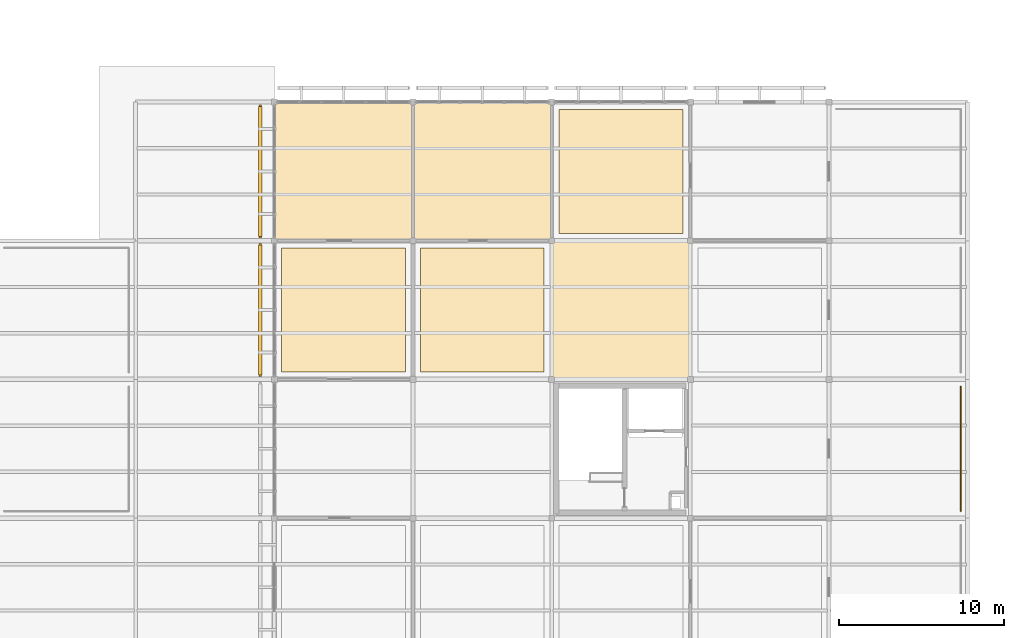
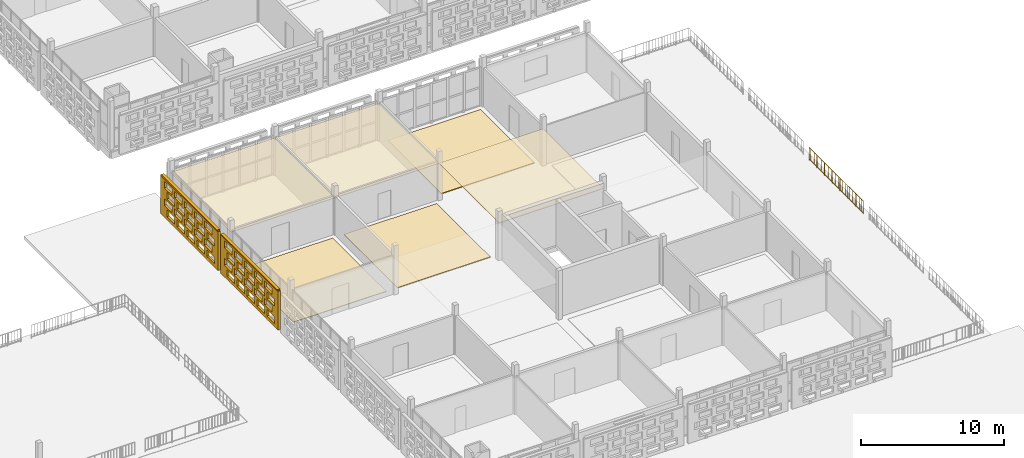
# One storey, part 154 of 166: 8 coverings, 2 shading devices, 1 railing, 40 openings.
"""IFC4 building model written with IfcOpenShell, lengths in metres."""

from ifc_helpers import new_model, si_unit, direction, frame, frame_2d, origin, origin_2d, place, context, subcontext, project, spatial, rectangle, circle, extrude, material, layer, layer_set, type_object, element, save


model = new_model("IFC4")

# Units and contexts
model_context = context("Model", 3, precision=1e-05, world=origin(), true_north=direction((0.0, 1.0)))
body_context = subcontext(model_context, "Body", "Model", "MODEL_VIEW")
ifc_project = project(units=[si_unit("LENGTHUNIT", "METRE"), si_unit("AREAUNIT", "SQUARE_METRE"), si_unit("VOLUMEUNIT", "CUBIC_METRE"), si_unit("PLANEANGLEUNIT", "RADIAN"), si_unit("MASSUNIT", "GRAM", prefix="KILO")], contexts=[model_context])

# Site, building, storey
site_placement = place(None, origin())
site = spatial("IfcSite", under=ifc_project, at=site_placement, CompositionType="ELEMENT")
building_placement = place(site_placement, origin())
building = spatial("IfcBuilding", under=site, at=building_placement, Name="Varnapada Polytechnic", CompositionType="ELEMENT")
storey_placement = place(building_placement, frame((0.0, 0.0, 9.60009765625)))
storey = spatial("IfcBuildingStorey", under=building, at=storey_placement, Name="L02", CompositionType="ELEMENT", Elevation=9.60009765625)

# Coverings
ifc_material_1 = material(Name="End-Grain Timber Studio Block Flooring", Category="wood")
ifc_layer_1 = layer(ifc_material_1, 0.054931640625)
ifc_layer_set_1 = layer_set([ifc_layer_1], Name="End-Grain Timber Studio Block Flooring")
covering_type_1 = type_object("IfcCoveringType", Name="Floor Finish FLR-04", PredefinedType="FLOORING", material=ifc_layer_set_1)
for number, where, z_axis, x_axis, name in (
    (1, (138.60009765625, 37.800048828125, 0.0), (0.0, 0.0, 1.0), (1.0, 0.0, 0.0), "L02 floor finish panel (17,5)"),
    (2, (147.0, 37.800048828125, 0.0), (0.0, 0.0, 1.0), (1.0, 0.0, 0.0), "L02 floor finish panel (18,5)"),
    (3, (155.39990234375, 46.199951171875, 0.0), (0.0, 0.0, 1.0), (1.0, 0.0, 0.0), "L02 floor finish panel (19,6)"),
):
    element("IfcCovering", number, at=place(storey_placement, frame(where, z_axis=z_axis, x_axis=x_axis)), inside=storey, type_object=covering_type_1, Name=name, PredefinedType="FLOORING", context=body_context, shape_type="SweptSolid", body=[
        extrude(rectangle(XDim=7.5, YDim=7.5, at=origin_2d()), origin(), (0.0, 0.0, 1.0), 0.054931640625),
    ])
ifc_material_2 = material(Name="Perforated Timber Slatted Baffle Ceiling", Category="wood")
ifc_layer_2 = layer(ifc_material_2, 0.050048828125)
ifc_layer_set_2 = layer_set([ifc_layer_2], Name="Perforated Timber Slatted Baffle Ceiling")
covering_type_2 = type_object("IfcCoveringType", Name="Suspended Ceiling CLG-02", PredefinedType="CEILING", material=ifc_layer_set_2)
covering_1_placement = place(storey_placement, frame((147.0, 46.199951171875, 3.02490234375), z_axis=(0.0, 0.0, 1.0), x_axis=(1.0, 0.0, 0.0)))
element("IfcCovering", 4, at=covering_1_placement, inside=storey, type_object=covering_type_2, Name="L02 suspended acoustic ceiling (18,6)", PredefinedType="CEILING", context=body_context, shape_type="SweptSolid", body=[
    extrude(rectangle(XDim=8.419921875, YDim=8.419921875, at=origin_2d()), origin(), (0.0, 0.0, 1.0), 0.050048828125),
])
ifc_material_3 = material(Name="Micro-Perforated Gypsum Acoustic Ceiling")
ifc_layer_3 = layer(ifc_material_3, 0.044921875)
ifc_layer_set_3 = layer_set([ifc_layer_3], Name="Micro-Perforated Gypsum Acoustic Ceiling")
covering_type_3 = type_object("IfcCoveringType", Name="Suspended Ceiling CLG-04", PredefinedType="CEILING", material=ifc_layer_set_3)
covering_2_placement = place(storey_placement, frame((138.60009765625, 46.199951171875, 3.02734375), z_axis=(0.0, 0.0, 1.0), x_axis=(1.0, 0.0, 0.0)))
element("IfcCovering", 5, at=covering_2_placement, inside=storey, type_object=covering_type_3, Name="L02 suspended acoustic ceiling (17,6)", PredefinedType="CEILING", context=body_context, shape_type="SweptSolid", body=[
    extrude(rectangle(XDim=8.419921875, YDim=8.419921875, at=origin_2d()), origin(), (0.0, 0.0, 1.0), 0.044921875),
])
ifc_material_4 = material(Name="Slatted Merbau Timber Acoustic Ceiling", Category="wood")
ifc_layer_4 = layer(ifc_material_4, 0.054931640625)
ifc_layer_set_4 = layer_set([ifc_layer_4], Name="Slatted Merbau Timber Acoustic Ceiling")
covering_type_4 = type_object("IfcCoveringType", Name="Suspended Ceiling CLG-05", PredefinedType="CEILING", material=ifc_layer_set_4)
covering_3_placement = place(storey_placement, frame((155.39990234375, 37.800048828125, 3.0224609375), z_axis=(0.0, 0.0, 1.0), x_axis=(1.0, 0.0, 0.0)))
element("IfcCovering", 6, at=covering_3_placement, inside=storey, type_object=covering_type_4, Name="L02 suspended acoustic ceiling (19,5)", PredefinedType="CEILING", context=body_context, shape_type="SweptSolid", body=[
    extrude(rectangle(XDim=8.419921875, YDim=8.419921875, at=origin_2d()), origin(), (0.0, 0.0, 1.0), 0.054931640625),
])

# Railing
ifc_material_5 = material(Name="Painted galvanized steel", Category="steel")
railing_type = type_object("IfcRailingType", Name="Terrace Guard Rail GRD-01", PredefinedType="BALUSTRADE", material=ifc_material_5)
railing_placement = place(storey_placement, frame((175.97998046875, 25.6201171875, 0.0)))
element("IfcRailing", 7, at=railing_placement, inside=storey, type_object=railing_type, Name="L02 terrace perimeter guard rail 22", PredefinedType="BALUSTRADE", context=body_context, shape_type="SweptSolid", body=[
    extrude(circle(Radius=0.02392578125, at=origin_2d()), frame((0.0, 0.0, 1.09619140625), z_axis=(0.0, 1.0, 0.0), x_axis=(-1.0, 0.0, 0.0)), (0.0, 0.0, 1.0), 7.559814453125),
    extrude(circle(Radius=0.02392578125, at=origin_2d()), frame((0.0, 0.0, 0.10009765625), z_axis=(0.0, 1.0, 0.0), x_axis=(-1.0, 0.0, 0.0)), (0.0, 0.0, 1.0), 7.559814453125),
    extrude(circle(Radius=0.02099609375, at=origin_2d()), origin(), (0.0, 0.0, 1.0), 1.072021484375),
    extrude(circle(Radius=0.02099609375, at=origin_2d()), frame((0.0, 1.080078125, 0.0)), (0.0, 0.0, 1.0), 1.072021484375),
    extrude(circle(Radius=0.02099609375, at=origin_2d()), frame((0.0, 2.159912109375, 0.0)), (0.0, 0.0, 1.0), 1.072021484375),
    extrude(circle(Radius=0.02099609375, at=origin_2d()), frame((0.0, 3.239990234375, 0.0)), (0.0, 0.0, 1.0), 1.072021484375),
    extrude(circle(Radius=0.02099609375, at=origin_2d()), frame((0.0, 4.31982421875, 0.0)), (0.0, 0.0, 1.0), 1.072021484375),
    extrude(circle(Radius=0.02099609375, at=origin_2d()), frame((0.0, 5.39990234375, 0.0)), (0.0, 0.0, 1.0), 1.072021484375),
    extrude(circle(Radius=0.02099609375, at=origin_2d()), frame((0.0, 6.479736328125, 0.0)), (0.0, 0.0, 1.0), 1.072021484375),
    extrude(circle(Radius=0.02099609375, at=origin_2d()), frame((0.0, 7.559814453125, 0.0)), (0.0, 0.0, 1.0), 1.072021484375),
    extrude(circle(Radius=0.010009765625, at=origin_2d()), frame((0.0, 0.243896484375, 0.10009765625)), (0.0, 0.0, 1.0), 0.971923828125),
    extrude(circle(Radius=0.010009765625, at=origin_2d()), frame((0.0, 0.48779296875, 0.10009765625)), (0.0, 0.0, 1.0), 0.971923828125),
    extrude(circle(Radius=0.010009765625, at=origin_2d()), frame((0.0, 0.731689453125, 0.10009765625)), (0.0, 0.0, 1.0), 0.971923828125),
    extrude(circle(Radius=0.010009765625, at=origin_2d()), frame((0.0, 0.975341796875, 0.10009765625)), (0.0, 0.0, 1.0), 0.971923828125),
    extrude(circle(Radius=0.010009765625, at=origin_2d()), frame((0.0, 1.21923828125, 0.10009765625)), (0.0, 0.0, 1.0), 0.971923828125),
    extrude(circle(Radius=0.010009765625, at=origin_2d()), frame((0.0, 1.463134765625, 0.10009765625)), (0.0, 0.0, 1.0), 0.971923828125),
    extrude(circle(Radius=0.010009765625, at=origin_2d()), frame((0.0, 1.70703125, 0.10009765625)), (0.0, 0.0, 1.0), 0.971923828125),
    extrude(circle(Radius=0.010009765625, at=origin_2d()), frame((0.0, 1.950927734375, 0.10009765625)), (0.0, 0.0, 1.0), 0.971923828125),
    extrude(circle(Radius=0.010009765625, at=origin_2d()), frame((0.0, 2.19482421875, 0.10009765625)), (0.0, 0.0, 1.0), 0.971923828125),
    extrude(circle(Radius=0.010009765625, at=origin_2d()), frame((0.0, 2.438720703125, 0.10009765625)), (0.0, 0.0, 1.0), 0.971923828125),
    extrude(circle(Radius=0.010009765625, at=origin_2d()), frame((0.0, 2.6826171875, 0.10009765625)), (0.0, 0.0, 1.0), 0.971923828125),
    extrude(circle(Radius=0.010009765625, at=origin_2d()), frame((0.0, 2.92626953125, 0.10009765625)), (0.0, 0.0, 1.0), 0.971923828125),
    extrude(circle(Radius=0.010009765625, at=origin_2d()), frame((0.0, 3.170166015625, 0.10009765625)), (0.0, 0.0, 1.0), 0.971923828125),
    extrude(circle(Radius=0.010009765625, at=origin_2d()), frame((0.0, 3.4140625, 0.10009765625)), (0.0, 0.0, 1.0), 0.971923828125),
    extrude(circle(Radius=0.010009765625, at=origin_2d()), frame((0.0, 3.657958984375, 0.10009765625)), (0.0, 0.0, 1.0), 0.971923828125),
    extrude(circle(Radius=0.010009765625, at=origin_2d()), frame((0.0, 3.90185546875, 0.10009765625)), (0.0, 0.0, 1.0), 0.971923828125),
    extrude(circle(Radius=0.010009765625, at=origin_2d()), frame((0.0, 4.145751953125, 0.10009765625)), (0.0, 0.0, 1.0), 0.971923828125),
    extrude(circle(Radius=0.010009765625, at=origin_2d()), frame((0.0, 4.3896484375, 0.10009765625)), (0.0, 0.0, 1.0), 0.971923828125),
    extrude(circle(Radius=0.010009765625, at=origin_2d()), frame((0.0, 4.633544921875, 0.10009765625)), (0.0, 0.0, 1.0), 0.971923828125),
    extrude(circle(Radius=0.010009765625, at=origin_2d()), frame((0.0, 4.877197265625, 0.10009765625)), (0.0, 0.0, 1.0), 0.971923828125),
    extrude(circle(Radius=0.010009765625, at=origin_2d()), frame((0.0, 5.12109375, 0.10009765625)), (0.0, 0.0, 1.0), 0.971923828125),
    extrude(circle(Radius=0.010009765625, at=origin_2d()), frame((0.0, 5.364990234375, 0.10009765625)), (0.0, 0.0, 1.0), 0.971923828125),
    extrude(circle(Radius=0.010009765625, at=origin_2d()), frame((0.0, 5.60888671875, 0.10009765625)), (0.0, 0.0, 1.0), 0.971923828125),
    extrude(circle(Radius=0.010009765625, at=origin_2d()), frame((0.0, 5.852783203125, 0.10009765625)), (0.0, 0.0, 1.0), 0.971923828125),
    extrude(circle(Radius=0.010009765625, at=origin_2d()), frame((0.0, 6.0966796875, 0.10009765625)), (0.0, 0.0, 1.0), 0.971923828125),
    extrude(circle(Radius=0.010009765625, at=origin_2d()), frame((0.0, 6.340576171875, 0.10009765625)), (0.0, 0.0, 1.0), 0.971923828125),
    extrude(circle(Radius=0.010009765625, at=origin_2d()), frame((0.0, 6.58447265625, 0.10009765625)), (0.0, 0.0, 1.0), 0.971923828125),
    extrude(circle(Radius=0.010009765625, at=origin_2d()), frame((0.0, 6.828125, 0.10009765625)), (0.0, 0.0, 1.0), 0.971923828125),
    extrude(circle(Radius=0.010009765625, at=origin_2d()), frame((0.0, 7.072021484375, 0.10009765625)), (0.0, 0.0, 1.0), 0.971923828125),
    extrude(circle(Radius=0.010009765625, at=origin_2d()), frame((0.0, 7.31591796875, 0.10009765625)), (0.0, 0.0, 1.0), 0.971923828125),
])

# Covering, openings
ifc_material_6 = material(Name="Earth-toned architectural terracotta screen block", Category="masonry")
ifc_layer_5 = layer(ifc_material_6, 0.1201171875)
ifc_layer_set_5 = layer_set([ifc_layer_5], Name="Earth-toned architectural terracotta screen block")
covering_type_5 = type_object("IfcCoveringType", Name="Terracotta Screen Cladding CLD-01", PredefinedType="CLADDING", material=ifc_layer_set_5)
covering_4_placement = place(storey_placement, frame((133.550048828125, 33.780029296875, 0.0), z_axis=(0.0, 0.0, 1.0), x_axis=(0.0, 1.0, 0.0)))
covering_4 = element("IfcCovering", 8, at=covering_4_placement, inside=storey, type_object=covering_type_5, Name="L02 perforated terracotta block screen (83)", PredefinedType="CLADDING", context=body_context, shape_type="SweptSolid", body=[
    extrude(rectangle(XDim=8.050048828125, YDim=0.179931640625, at=frame_2d((4.02490234375, 0.0))), origin(), (0.0, 0.0, 1.0), 3.31982421875),
])
opening_1_placement = place(covering_4_placement, frame((0.52490234375, 0.0, 0.265625)))
element("IfcOpeningElement", 9, at=opening_1_placement, cuts=covering_4, Name="Screen perforation TBS-L02-082.1", PredefinedType="OPENING", context=body_context, shape_type="SweptSolid", body=[
    extrude(rectangle(XDim=1.0400390625, YDim=0.5810546875, at=frame_2d((0.52001953125, 0.29052734375))), frame((0.0, 0.099853515625, 0.0), z_axis=(0.0, -1.0, 0.0), x_axis=(1.0, 0.0, 0.0)), (0.0, 0.0, 1.0), 0.199951171875),
])
opening_2_placement = place(covering_4_placement, frame((1.925048828125, 0.0, 0.265625)))
element("IfcOpeningElement", 10, at=opening_2_placement, cuts=covering_4, Name="Screen perforation TBS-L02-082.2", PredefinedType="OPENING", context=body_context, shape_type="SweptSolid", body=[
    extrude(rectangle(XDim=1.0400390625, YDim=0.5810546875, at=frame_2d((0.52001953125, 0.29052734375))), frame((0.0, 0.099853515625, 0.0), z_axis=(0.0, -1.0, 0.0), x_axis=(1.0, 0.0, 0.0)), (0.0, 0.0, 1.0), 0.199951171875),
])
opening_3_placement = place(covering_4_placement, frame((3.324951171875, 0.0, 0.265625)))
element("IfcOpeningElement", 11, at=opening_3_placement, cuts=covering_4, Name="Screen perforation TBS-L02-082.3", PredefinedType="OPENING", context=body_context, shape_type="SweptSolid", body=[
    extrude(rectangle(XDim=1.0400390625, YDim=0.5810546875, at=frame_2d((0.52001953125, 0.29052734375))), frame((0.0, 0.099853515625, 0.0), z_axis=(0.0, -1.0, 0.0), x_axis=(1.0, 0.0, 0.0)), (0.0, 0.0, 1.0), 0.199951171875),
])
opening_4_placement = place(covering_4_placement, frame((4.72509765625, 0.0, 0.265625)))
element("IfcOpeningElement", 12, at=opening_4_placement, cuts=covering_4, Name="Screen perforation TBS-L02-082.4", PredefinedType="OPENING", context=body_context, shape_type="SweptSolid", body=[
    extrude(rectangle(XDim=1.0400390625, YDim=0.5810546875, at=frame_2d((0.52001953125, 0.29052734375))), frame((0.0, 0.099853515625, 0.0), z_axis=(0.0, -1.0, 0.0), x_axis=(1.0, 0.0, 0.0)), (0.0, 0.0, 1.0), 0.199951171875),
])
opening_5_placement = place(covering_4_placement, frame((6.125, 0.0, 0.265625)))
element("IfcOpeningElement", 13, at=opening_5_placement, cuts=covering_4, Name="Screen perforation TBS-L02-082.5", PredefinedType="OPENING", context=body_context, shape_type="SweptSolid", body=[
    extrude(rectangle(XDim=1.0400390625, YDim=0.5810546875, at=frame_2d((0.52001953125, 0.29052734375))), frame((0.0, 0.099853515625, 0.0), z_axis=(0.0, -1.0, 0.0), x_axis=(1.0, 0.0, 0.0)), (0.0, 0.0, 1.0), 0.199951171875),
])
opening_6_placement = place(covering_4_placement, frame((0.885009765625, 0.0, 1.0126953125)))
element("IfcOpeningElement", 14, at=opening_6_placement, cuts=covering_4, Name="Screen perforation TBS-L02-082.6", PredefinedType="OPENING", context=body_context, shape_type="SweptSolid", body=[
    extrude(rectangle(XDim=1.0400390625, YDim=0.5810546875, at=frame_2d((0.52001953125, 0.29052734375))), frame((0.0, 0.099853515625, 0.0), z_axis=(0.0, -1.0, 0.0), x_axis=(1.0, 0.0, 0.0)), (0.0, 0.0, 1.0), 0.199951171875),
])
opening_7_placement = place(covering_4_placement, frame((2.284912109375, 0.0, 1.0126953125)))
element("IfcOpeningElement", 15, at=opening_7_placement, cuts=covering_4, Name="Screen perforation TBS-L02-082.7", PredefinedType="OPENING", context=body_context, shape_type="SweptSolid", body=[
    extrude(rectangle(XDim=1.0400390625, YDim=0.5810546875, at=frame_2d((0.52001953125, 0.29052734375))), frame((0.0, 0.099853515625, 0.0), z_axis=(0.0, -1.0, 0.0), x_axis=(1.0, 0.0, 0.0)), (0.0, 0.0, 1.0), 0.199951171875),
])
opening_8_placement = place(covering_4_placement, frame((3.68505859375, 0.0, 1.0126953125)))
element("IfcOpeningElement", 16, at=opening_8_placement, cuts=covering_4, Name="Screen perforation TBS-L02-082.8", PredefinedType="OPENING", context=body_context, shape_type="SweptSolid", body=[
    extrude(rectangle(XDim=1.0400390625, YDim=0.5810546875, at=frame_2d((0.52001953125, 0.29052734375))), frame((0.0, 0.099853515625, 0.0), z_axis=(0.0, -1.0, 0.0), x_axis=(1.0, 0.0, 0.0)), (0.0, 0.0, 1.0), 0.199951171875),
])
opening_9_placement = place(covering_4_placement, frame((5.0849609375, 0.0, 1.0126953125)))
element("IfcOpeningElement", 17, at=opening_9_placement, cuts=covering_4, Name="Screen perforation TBS-L02-082.9", PredefinedType="OPENING", context=body_context, shape_type="SweptSolid", body=[
    extrude(rectangle(XDim=1.0400390625, YDim=0.5810546875, at=frame_2d((0.52001953125, 0.29052734375))), frame((0.0, 0.099853515625, 0.0), z_axis=(0.0, -1.0, 0.0), x_axis=(1.0, 0.0, 0.0)), (0.0, 0.0, 1.0), 0.199951171875),
])
opening_10_placement = place(covering_4_placement, frame((6.485107421875, 0.0, 1.0126953125)))
element("IfcOpeningElement", 18, at=opening_10_placement, cuts=covering_4, Name="Screen perforation TBS-L02-082.10", PredefinedType="OPENING", context=body_context, shape_type="SweptSolid", body=[
    extrude(rectangle(XDim=1.0400390625, YDim=0.5810546875, at=frame_2d((0.52001953125, 0.29052734375))), frame((0.0, 0.099853515625, 0.0), z_axis=(0.0, -1.0, 0.0), x_axis=(1.0, 0.0, 0.0)), (0.0, 0.0, 1.0), 0.199951171875),
])
opening_11_placement = place(covering_4_placement, frame((0.52490234375, 0.0, 1.759521484375)))
element("IfcOpeningElement", 19, at=opening_11_placement, cuts=covering_4, Name="Screen perforation TBS-L02-082.11", PredefinedType="OPENING", context=body_context, shape_type="SweptSolid", body=[
    extrude(rectangle(XDim=1.0400390625, YDim=0.5810546875, at=frame_2d((0.52001953125, 0.29052734375))), frame((0.0, 0.099853515625, 0.0), z_axis=(0.0, -1.0, 0.0), x_axis=(1.0, 0.0, 0.0)), (0.0, 0.0, 1.0), 0.199951171875),
])
opening_12_placement = place(covering_4_placement, frame((1.925048828125, 0.0, 1.759521484375)))
element("IfcOpeningElement", 20, at=opening_12_placement, cuts=covering_4, Name="Screen perforation TBS-L02-082.12", PredefinedType="OPENING", context=body_context, shape_type="SweptSolid", body=[
    extrude(rectangle(XDim=1.0400390625, YDim=0.5810546875, at=frame_2d((0.52001953125, 0.29052734375))), frame((0.0, 0.099853515625, 0.0), z_axis=(0.0, -1.0, 0.0), x_axis=(1.0, 0.0, 0.0)), (0.0, 0.0, 1.0), 0.199951171875),
])
opening_13_placement = place(covering_4_placement, frame((3.324951171875, 0.0, 1.759521484375)))
element("IfcOpeningElement", 21, at=opening_13_placement, cuts=covering_4, Name="Screen perforation TBS-L02-082.13", PredefinedType="OPENING", context=body_context, shape_type="SweptSolid", body=[
    extrude(rectangle(XDim=1.0400390625, YDim=0.5810546875, at=frame_2d((0.52001953125, 0.29052734375))), frame((0.0, 0.099853515625, 0.0), z_axis=(0.0, -1.0, 0.0), x_axis=(1.0, 0.0, 0.0)), (0.0, 0.0, 1.0), 0.199951171875),
])
opening_14_placement = place(covering_4_placement, frame((4.72509765625, 0.0, 1.759521484375)))
element("IfcOpeningElement", 22, at=opening_14_placement, cuts=covering_4, Name="Screen perforation TBS-L02-082.14", PredefinedType="OPENING", context=body_context, shape_type="SweptSolid", body=[
    extrude(rectangle(XDim=1.0400390625, YDim=0.5810546875, at=frame_2d((0.52001953125, 0.29052734375))), frame((0.0, 0.099853515625, 0.0), z_axis=(0.0, -1.0, 0.0), x_axis=(1.0, 0.0, 0.0)), (0.0, 0.0, 1.0), 0.199951171875),
])
opening_15_placement = place(covering_4_placement, frame((6.125, 0.0, 1.759521484375)))
element("IfcOpeningElement", 23, at=opening_15_placement, cuts=covering_4, Name="Screen perforation TBS-L02-082.15", PredefinedType="OPENING", context=body_context, shape_type="SweptSolid", body=[
    extrude(rectangle(XDim=1.0400390625, YDim=0.5810546875, at=frame_2d((0.52001953125, 0.29052734375))), frame((0.0, 0.099853515625, 0.0), z_axis=(0.0, -1.0, 0.0), x_axis=(1.0, 0.0, 0.0)), (0.0, 0.0, 1.0), 0.199951171875),
])
opening_16_placement = place(covering_4_placement, frame((0.885009765625, 0.0, 2.506591796875)))
element("IfcOpeningElement", 24, at=opening_16_placement, cuts=covering_4, Name="Screen perforation TBS-L02-082.16", PredefinedType="OPENING", context=body_context, shape_type="SweptSolid", body=[
    extrude(rectangle(XDim=1.0400390625, YDim=0.5810546875, at=frame_2d((0.52001953125, 0.29052734375))), frame((0.0, 0.099853515625, 0.0), z_axis=(0.0, -1.0, 0.0), x_axis=(1.0, 0.0, 0.0)), (0.0, 0.0, 1.0), 0.199951171875),
])
opening_17_placement = place(covering_4_placement, frame((2.284912109375, 0.0, 2.506591796875)))
element("IfcOpeningElement", 25, at=opening_17_placement, cuts=covering_4, Name="Screen perforation TBS-L02-082.17", PredefinedType="OPENING", context=body_context, shape_type="SweptSolid", body=[
    extrude(rectangle(XDim=1.0400390625, YDim=0.5810546875, at=frame_2d((0.52001953125, 0.29052734375))), frame((0.0, 0.099853515625, 0.0), z_axis=(0.0, -1.0, 0.0), x_axis=(1.0, 0.0, 0.0)), (0.0, 0.0, 1.0), 0.199951171875),
])
opening_18_placement = place(covering_4_placement, frame((3.68505859375, 0.0, 2.506591796875)))
element("IfcOpeningElement", 26, at=opening_18_placement, cuts=covering_4, Name="Screen perforation TBS-L02-082.18", PredefinedType="OPENING", context=body_context, shape_type="SweptSolid", body=[
    extrude(rectangle(XDim=1.0400390625, YDim=0.5810546875, at=frame_2d((0.52001953125, 0.29052734375))), frame((0.0, 0.099853515625, 0.0), z_axis=(0.0, -1.0, 0.0), x_axis=(1.0, 0.0, 0.0)), (0.0, 0.0, 1.0), 0.199951171875),
])
opening_19_placement = place(covering_4_placement, frame((5.0849609375, 0.0, 2.506591796875)))
element("IfcOpeningElement", 27, at=opening_19_placement, cuts=covering_4, Name="Screen perforation TBS-L02-082.19", PredefinedType="OPENING", context=body_context, shape_type="SweptSolid", body=[
    extrude(rectangle(XDim=1.0400390625, YDim=0.5810546875, at=frame_2d((0.52001953125, 0.29052734375))), frame((0.0, 0.099853515625, 0.0), z_axis=(0.0, -1.0, 0.0), x_axis=(1.0, 0.0, 0.0)), (0.0, 0.0, 1.0), 0.199951171875),
])
opening_20_placement = place(covering_4_placement, frame((6.485107421875, 0.0, 2.506591796875)))
element("IfcOpeningElement", 28, at=opening_20_placement, cuts=covering_4, Name="Screen perforation TBS-L02-082.20", PredefinedType="OPENING", context=body_context, shape_type="SweptSolid", body=[
    extrude(rectangle(XDim=1.0400390625, YDim=0.5810546875, at=frame_2d((0.52001953125, 0.29052734375))), frame((0.0, 0.099853515625, 0.0), z_axis=(0.0, -1.0, 0.0), x_axis=(1.0, 0.0, 0.0)), (0.0, 0.0, 1.0), 0.199951171875),
])

covering_5_placement = place(storey_placement, frame((133.550048828125, 42.169921875, 0.0), z_axis=(0.0, 0.0, 1.0), x_axis=(0.0, 1.0, 0.0)))
covering_5 = element("IfcCovering", 29, at=covering_5_placement, inside=storey, type_object=covering_type_5, Name="L02 perforated terracotta block screen (85)", PredefinedType="CLADDING", context=body_context, shape_type="SweptSolid", body=[
    extrude(rectangle(XDim=8.050048828125, YDim=0.179931640625, at=frame_2d((4.02490234375, 0.0))), origin(), (0.0, 0.0, 1.0), 3.31982421875),
])
opening_21_placement = place(covering_5_placement, frame((0.52490234375, 0.0, 0.265625)))
element("IfcOpeningElement", 30, at=opening_21_placement, cuts=covering_5, Name="Screen perforation TBS-L02-084.1", PredefinedType="OPENING", context=body_context, shape_type="SweptSolid", body=[
    extrude(rectangle(XDim=1.0400390625, YDim=0.5810546875, at=frame_2d((0.52001953125, 0.29052734375))), frame((0.0, 0.099853515625, 0.0), z_axis=(0.0, -1.0, 0.0), x_axis=(1.0, 0.0, 0.0)), (0.0, 0.0, 1.0), 0.199951171875),
])
opening_22_placement = place(covering_5_placement, frame((1.925048828125, 0.0, 0.265625)))
element("IfcOpeningElement", 31, at=opening_22_placement, cuts=covering_5, Name="Screen perforation TBS-L02-084.2", PredefinedType="OPENING", context=body_context, shape_type="SweptSolid", body=[
    extrude(rectangle(XDim=1.0400390625, YDim=0.5810546875, at=frame_2d((0.52001953125, 0.29052734375))), frame((0.0, 0.099853515625, 0.0), z_axis=(0.0, -1.0, 0.0), x_axis=(1.0, 0.0, 0.0)), (0.0, 0.0, 1.0), 0.199951171875),
])
opening_23_placement = place(covering_5_placement, frame((3.324951171875, 0.0, 0.265625)))
element("IfcOpeningElement", 32, at=opening_23_placement, cuts=covering_5, Name="Screen perforation TBS-L02-084.3", PredefinedType="OPENING", context=body_context, shape_type="SweptSolid", body=[
    extrude(rectangle(XDim=1.0400390625, YDim=0.5810546875, at=frame_2d((0.52001953125, 0.29052734375))), frame((0.0, 0.099853515625, 0.0), z_axis=(0.0, -1.0, 0.0), x_axis=(1.0, 0.0, 0.0)), (0.0, 0.0, 1.0), 0.199951171875),
])
opening_24_placement = place(covering_5_placement, frame((4.72509765625, 0.0, 0.265625)))
element("IfcOpeningElement", 33, at=opening_24_placement, cuts=covering_5, Name="Screen perforation TBS-L02-084.4", PredefinedType="OPENING", context=body_context, shape_type="SweptSolid", body=[
    extrude(rectangle(XDim=1.0400390625, YDim=0.5810546875, at=frame_2d((0.52001953125, 0.29052734375))), frame((0.0, 0.099853515625, 0.0), z_axis=(0.0, -1.0, 0.0), x_axis=(1.0, 0.0, 0.0)), (0.0, 0.0, 1.0), 0.199951171875),
])
opening_25_placement = place(covering_5_placement, frame((6.125, 0.0, 0.265625)))
element("IfcOpeningElement", 34, at=opening_25_placement, cuts=covering_5, Name="Screen perforation TBS-L02-084.5", PredefinedType="OPENING", context=body_context, shape_type="SweptSolid", body=[
    extrude(rectangle(XDim=1.0400390625, YDim=0.5810546875, at=frame_2d((0.52001953125, 0.29052734375))), frame((0.0, 0.099853515625, 0.0), z_axis=(0.0, -1.0, 0.0), x_axis=(1.0, 0.0, 0.0)), (0.0, 0.0, 1.0), 0.199951171875),
])
opening_26_placement = place(covering_5_placement, frame((0.885009765625, 0.0, 1.0126953125)))
element("IfcOpeningElement", 35, at=opening_26_placement, cuts=covering_5, Name="Screen perforation TBS-L02-084.6", PredefinedType="OPENING", context=body_context, shape_type="SweptSolid", body=[
    extrude(rectangle(XDim=1.0400390625, YDim=0.5810546875, at=frame_2d((0.52001953125, 0.29052734375))), frame((0.0, 0.099853515625, 0.0), z_axis=(0.0, -1.0, 0.0), x_axis=(1.0, 0.0, 0.0)), (0.0, 0.0, 1.0), 0.199951171875),
])
opening_27_placement = place(covering_5_placement, frame((2.284912109375, 0.0, 1.0126953125)))
element("IfcOpeningElement", 36, at=opening_27_placement, cuts=covering_5, Name="Screen perforation TBS-L02-084.7", PredefinedType="OPENING", context=body_context, shape_type="SweptSolid", body=[
    extrude(rectangle(XDim=1.0400390625, YDim=0.5810546875, at=frame_2d((0.52001953125, 0.29052734375))), frame((0.0, 0.099853515625, 0.0), z_axis=(0.0, -1.0, 0.0), x_axis=(1.0, 0.0, 0.0)), (0.0, 0.0, 1.0), 0.199951171875),
])
opening_28_placement = place(covering_5_placement, frame((3.68505859375, 0.0, 1.0126953125)))
element("IfcOpeningElement", 37, at=opening_28_placement, cuts=covering_5, Name="Screen perforation TBS-L02-084.8", PredefinedType="OPENING", context=body_context, shape_type="SweptSolid", body=[
    extrude(rectangle(XDim=1.0400390625, YDim=0.5810546875, at=frame_2d((0.52001953125, 0.29052734375))), frame((0.0, 0.099853515625, 0.0), z_axis=(0.0, -1.0, 0.0), x_axis=(1.0, 0.0, 0.0)), (0.0, 0.0, 1.0), 0.199951171875),
])
opening_29_placement = place(covering_5_placement, frame((5.0849609375, 0.0, 1.0126953125)))
element("IfcOpeningElement", 38, at=opening_29_placement, cuts=covering_5, Name="Screen perforation TBS-L02-084.9", PredefinedType="OPENING", context=body_context, shape_type="SweptSolid", body=[
    extrude(rectangle(XDim=1.0400390625, YDim=0.5810546875, at=frame_2d((0.52001953125, 0.29052734375))), frame((0.0, 0.099853515625, 0.0), z_axis=(0.0, -1.0, 0.0), x_axis=(1.0, 0.0, 0.0)), (0.0, 0.0, 1.0), 0.199951171875),
])
opening_30_placement = place(covering_5_placement, frame((6.485107421875, 0.0, 1.0126953125)))
element("IfcOpeningElement", 39, at=opening_30_placement, cuts=covering_5, Name="Screen perforation TBS-L02-084.10", PredefinedType="OPENING", context=body_context, shape_type="SweptSolid", body=[
    extrude(rectangle(XDim=1.0400390625, YDim=0.5810546875, at=frame_2d((0.52001953125, 0.29052734375))), frame((0.0, 0.099853515625, 0.0), z_axis=(0.0, -1.0, 0.0), x_axis=(1.0, 0.0, 0.0)), (0.0, 0.0, 1.0), 0.199951171875),
])
opening_31_placement = place(covering_5_placement, frame((0.52490234375, 0.0, 1.759521484375)))
element("IfcOpeningElement", 40, at=opening_31_placement, cuts=covering_5, Name="Screen perforation TBS-L02-084.11", PredefinedType="OPENING", context=body_context, shape_type="SweptSolid", body=[
    extrude(rectangle(XDim=1.0400390625, YDim=0.5810546875, at=frame_2d((0.52001953125, 0.29052734375))), frame((0.0, 0.099853515625, 0.0), z_axis=(0.0, -1.0, 0.0), x_axis=(1.0, 0.0, 0.0)), (0.0, 0.0, 1.0), 0.199951171875),
])
opening_32_placement = place(covering_5_placement, frame((1.925048828125, 0.0, 1.759521484375)))
element("IfcOpeningElement", 41, at=opening_32_placement, cuts=covering_5, Name="Screen perforation TBS-L02-084.12", PredefinedType="OPENING", context=body_context, shape_type="SweptSolid", body=[
    extrude(rectangle(XDim=1.0400390625, YDim=0.5810546875, at=frame_2d((0.52001953125, 0.29052734375))), frame((0.0, 0.099853515625, 0.0), z_axis=(0.0, -1.0, 0.0), x_axis=(1.0, 0.0, 0.0)), (0.0, 0.0, 1.0), 0.199951171875),
])
opening_33_placement = place(covering_5_placement, frame((3.324951171875, 0.0, 1.759521484375)))
element("IfcOpeningElement", 42, at=opening_33_placement, cuts=covering_5, Name="Screen perforation TBS-L02-084.13", PredefinedType="OPENING", context=body_context, shape_type="SweptSolid", body=[
    extrude(rectangle(XDim=1.0400390625, YDim=0.5810546875, at=frame_2d((0.52001953125, 0.29052734375))), frame((0.0, 0.099853515625, 0.0), z_axis=(0.0, -1.0, 0.0), x_axis=(1.0, 0.0, 0.0)), (0.0, 0.0, 1.0), 0.199951171875),
])
opening_34_placement = place(covering_5_placement, frame((4.72509765625, 0.0, 1.759521484375)))
element("IfcOpeningElement", 43, at=opening_34_placement, cuts=covering_5, Name="Screen perforation TBS-L02-084.14", PredefinedType="OPENING", context=body_context, shape_type="SweptSolid", body=[
    extrude(rectangle(XDim=1.0400390625, YDim=0.5810546875, at=frame_2d((0.52001953125, 0.29052734375))), frame((0.0, 0.099853515625, 0.0), z_axis=(0.0, -1.0, 0.0), x_axis=(1.0, 0.0, 0.0)), (0.0, 0.0, 1.0), 0.199951171875),
])
opening_35_placement = place(covering_5_placement, frame((6.125, 0.0, 1.759521484375)))
element("IfcOpeningElement", 44, at=opening_35_placement, cuts=covering_5, Name="Screen perforation TBS-L02-084.15", PredefinedType="OPENING", context=body_context, shape_type="SweptSolid", body=[
    extrude(rectangle(XDim=1.0400390625, YDim=0.5810546875, at=frame_2d((0.52001953125, 0.29052734375))), frame((0.0, 0.099853515625, 0.0), z_axis=(0.0, -1.0, 0.0), x_axis=(1.0, 0.0, 0.0)), (0.0, 0.0, 1.0), 0.199951171875),
])
opening_36_placement = place(covering_5_placement, frame((0.885009765625, 0.0, 2.506591796875)))
element("IfcOpeningElement", 45, at=opening_36_placement, cuts=covering_5, Name="Screen perforation TBS-L02-084.16", PredefinedType="OPENING", context=body_context, shape_type="SweptSolid", body=[
    extrude(rectangle(XDim=1.0400390625, YDim=0.5810546875, at=frame_2d((0.52001953125, 0.29052734375))), frame((0.0, 0.099853515625, 0.0), z_axis=(0.0, -1.0, 0.0), x_axis=(1.0, 0.0, 0.0)), (0.0, 0.0, 1.0), 0.199951171875),
])
opening_37_placement = place(covering_5_placement, frame((2.284912109375, 0.0, 2.506591796875)))
element("IfcOpeningElement", 46, at=opening_37_placement, cuts=covering_5, Name="Screen perforation TBS-L02-084.17", PredefinedType="OPENING", context=body_context, shape_type="SweptSolid", body=[
    extrude(rectangle(XDim=1.0400390625, YDim=0.5810546875, at=frame_2d((0.52001953125, 0.29052734375))), frame((0.0, 0.099853515625, 0.0), z_axis=(0.0, -1.0, 0.0), x_axis=(1.0, 0.0, 0.0)), (0.0, 0.0, 1.0), 0.199951171875),
])
opening_38_placement = place(covering_5_placement, frame((3.68505859375, 0.0, 2.506591796875)))
element("IfcOpeningElement", 47, at=opening_38_placement, cuts=covering_5, Name="Screen perforation TBS-L02-084.18", PredefinedType="OPENING", context=body_context, shape_type="SweptSolid", body=[
    extrude(rectangle(XDim=1.0400390625, YDim=0.5810546875, at=frame_2d((0.52001953125, 0.29052734375))), frame((0.0, 0.099853515625, 0.0), z_axis=(0.0, -1.0, 0.0), x_axis=(1.0, 0.0, 0.0)), (0.0, 0.0, 1.0), 0.199951171875),
])
opening_39_placement = place(covering_5_placement, frame((5.0849609375, 0.0, 2.506591796875)))
element("IfcOpeningElement", 48, at=opening_39_placement, cuts=covering_5, Name="Screen perforation TBS-L02-084.19", PredefinedType="OPENING", context=body_context, shape_type="SweptSolid", body=[
    extrude(rectangle(XDim=1.0400390625, YDim=0.5810546875, at=frame_2d((0.52001953125, 0.29052734375))), frame((0.0, 0.099853515625, 0.0), z_axis=(0.0, -1.0, 0.0), x_axis=(1.0, 0.0, 0.0)), (0.0, 0.0, 1.0), 0.199951171875),
])
opening_40_placement = place(covering_5_placement, frame((6.485107421875, 0.0, 2.506591796875)))
element("IfcOpeningElement", 49, at=opening_40_placement, cuts=covering_5, Name="Screen perforation TBS-L02-084.20", PredefinedType="OPENING", context=body_context, shape_type="SweptSolid", body=[
    extrude(rectangle(XDim=1.0400390625, YDim=0.5810546875, at=frame_2d((0.52001953125, 0.29052734375))), frame((0.0, 0.099853515625, 0.0), z_axis=(0.0, -1.0, 0.0), x_axis=(1.0, 0.0, 0.0)), (0.0, 0.0, 1.0), 0.199951171875),
])

# Shading devices
ifc_layer_6 = layer(ifc_material_6, 0.179931640625)
ifc_layer_set_6 = layer_set([ifc_layer_6], Name="Earth-toned architectural terracotta screen block")
shading_device_type = type_object("IfcShadingDeviceType", Name="Terracotta Screen SCR-01", PredefinedType="USERDEFINED", material=ifc_layer_set_6)
for number, where, z_axis, x_axis, name in (
    (50, (133.550048828125, 37.804931640625, 3.309814453125), (0.0, 0.0, 1.0), (0.0, 1.0, 0.0), "L02 perforated terracotta screen hood 307"),
    (51, (133.550048828125, 46.195068359375, 3.309814453125), (0.0, 0.0, 1.0), (0.0, 1.0, 0.0), "L02 perforated terracotta screen hood 309"),
):
    element("IfcShadingDevice", number, at=place(storey_placement, frame(where, z_axis=z_axis, x_axis=x_axis)), inside=storey, type_object=shading_device_type, Name=name, ObjectType="SCREEN", PredefinedType="USERDEFINED", context=body_context, shape_type="SweptSolid", body=[
        extrude(rectangle(XDim=7.85009765625, YDim=0.239990234375, at=origin_2d()), origin(), (0.0, 0.0, 1.0), 0.10009765625),
    ])

save(model, "model.ifc")
